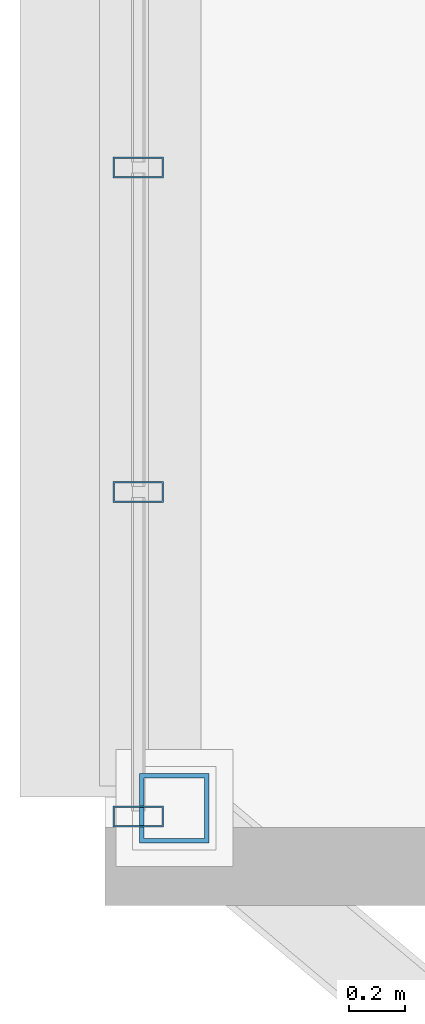
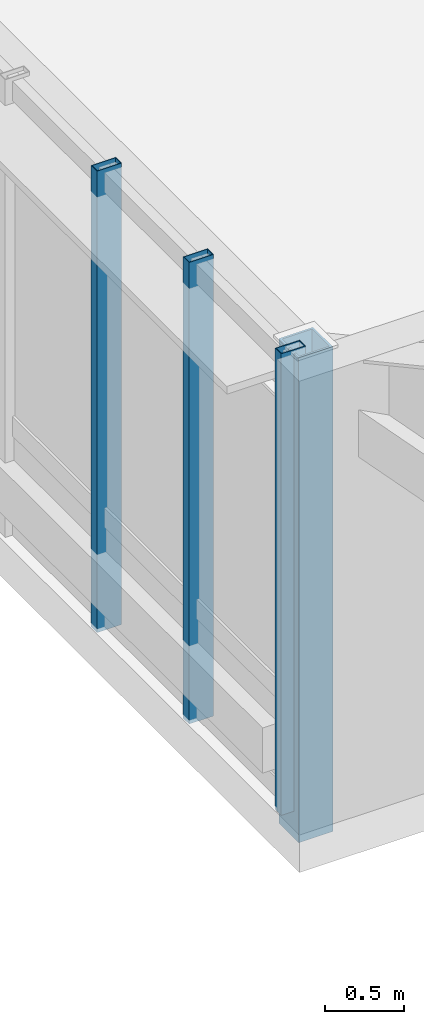
# One storey, part 2 of 18: 4 members, 1 element without a shape of its own.
"""IFC4 building model written with IfcOpenShell, lengths in metres."""

from ifc_helpers import new_model, si_unit, direction, frame, origin, origin_2d, place, context, subcontext, project, spatial, hollow_rectangle, extrude, material, material_profile, profile_set, type_object, element, aggregate, save


model = new_model("IFC4")

# Units and contexts
model_context = context("Model", 3, precision=1e-05, world=origin(), true_north=direction((0.0, 1.0)))
body_context = subcontext(model_context, "Body", "Model", "MODEL_VIEW")
ifc_project = project(units=[si_unit("LENGTHUNIT", "METRE"), si_unit("AREAUNIT", "SQUARE_METRE"), si_unit("VOLUMEUNIT", "CUBIC_METRE"), si_unit("PLANEANGLEUNIT", "RADIAN"), si_unit("MASSUNIT", "GRAM", prefix="KILO")], contexts=[model_context])

# Site, building, storey
site_placement = place(None, origin())
site = spatial("IfcSite", under=ifc_project, at=site_placement, CompositionType="ELEMENT")
building_placement = place(site_placement, origin())
building = spatial("IfcBuilding", under=site, at=building_placement, Name="Zulverin Broadcast Headquarters", CompositionType="ELEMENT")
storey_placement = place(building_placement, frame((0.0, 0.0, 225.0)))
storey = spatial("IfcBuildingStorey", under=building, at=storey_placement, Name="L57", CompositionType="ELEMENT", Elevation=225.0)

# Curtain wall, members
ifc_material_1 = material(Name="Acoustic triple-glazed studio box curtain wall", Category="aluminium")
curtain_wall_type = type_object("IfcCurtainWallType", Name="CW-SBOX", PredefinedType="USERDEFINED", material=ifc_material_1)
curtain_wall_placement = place(storey_placement, origin())
curtain_wall = element("IfcCurtainWall", 1, at=curtain_wall_placement, inside=storey, type_object=curtain_wall_type, Name="L57 Unitised Curtain Wall CW-L57-SBOX_SKY2_W-F", ObjectType="UNITISED CURTAIN WALL", PredefinedType="USERDEFINED")
ifc_material_2 = material(Name="Anodized pale-metal aluminium alloy 6063-T6", Category="aluminium")
ifc_material_profile_1 = material_profile(ifc_material_2, hollow_rectangle(XDim=0.074951171875, YDim=0.179931640625, WallThickness=0.0048828125, at=origin_2d()), Name="Anodized pale-metal aluminium alloy 6063-T6", Category="aluminium")
ifc_profile_set_1 = profile_set([ifc_material_profile_1], Name="Anodized pale-metal aluminium alloy 6063-T6")
member_type_1 = type_object("IfcMemberType", Name="CW-MUL-180", PredefinedType="MULLION", material=ifc_profile_set_1)
member_1_placement = place(storey_placement, frame((8.02001953125, 22.261474609375, -0.030029296875), z_axis=(0.0, 0.0, 1.0), x_axis=(0.0, -1.0, 0.0)))
member_1 = element("IfcMember", 2, at=member_1_placement, type_object=member_type_1, Name="CW-L57-SBOX_SKY2_W-F Mullion 05", PredefinedType="MULLION", context=body_context, shape_type="SweptSolid", body=[
    extrude(hollow_rectangle(XDim=0.074951171875, YDim=0.179931640625, WallThickness=0.0048828125, at=origin_2d()), origin(), (0.0, 0.0, 1.0), 3.570068359375),
])
member_2_placement = place(storey_placement, frame((8.02001953125, 21.095703125, -0.030029296875), z_axis=(0.0, 0.0, 1.0), x_axis=(0.0, -1.0, 0.0)))
member_2 = element("IfcMember", 3, at=member_2_placement, type_object=member_type_1, Name="CW-L57-SBOX_SKY2_W-F Mullion 06", PredefinedType="MULLION", context=body_context, shape_type="SweptSolid", body=[
    extrude(hollow_rectangle(XDim=0.074951171875, YDim=0.179931640625, WallThickness=0.0048828125, at=origin_2d()), origin(), (0.0, 0.0, 1.0), 3.570068359375),
])
member_3_placement = place(storey_placement, frame((8.02001953125, 19.929931640625, -0.030029296875), z_axis=(0.0, 0.0, 1.0), x_axis=(0.0, -1.0, 0.0)))
member_3 = element("IfcMember", 4, at=member_3_placement, type_object=member_type_1, Name="CW-L57-SBOX_SKY2_W-F Mullion 07", PredefinedType="MULLION", context=body_context, shape_type="SweptSolid", body=[
    extrude(hollow_rectangle(XDim=0.074951171875, YDim=0.179931640625, WallThickness=0.0048828125, at=origin_2d()), origin(), (0.0, 0.0, 1.0), 3.570068359375),
])
aggregate(curtain_wall, [member_1, member_2, member_3])

# Member
ifc_material_3 = material(Name="Structural steel S355JR", Category="steel")
ifc_material_profile_2 = material_profile(ifc_material_3, hollow_rectangle(XDim=0.25, YDim=0.25, WallThickness=0.01611328125, at=origin_2d()), Name="Structural steel S355JR", Category="steel")
ifc_profile_set_2 = profile_set([ifc_material_profile_2], Name="Structural steel S355JR")
member_type_2 = type_object("IfcMemberType", Name="MBR-BLT-POST", PredefinedType="POST", material=ifc_profile_set_2)
member_4_placement = place(storey_placement, frame((8.14990234375, 19.9599609375, -0.239990234375), z_axis=(0.0, 0.0, 1.0), x_axis=(1.0, 0.0, 0.0)))
element("IfcMember", 5, at=member_4_placement, inside=storey, type_object=member_type_2, Name="L57 Shifted Studio Box Frame Post SBOX_SKY2_W-1", PredefinedType="POST", context=body_context, shape_type="SweptSolid", body=[
    extrude(hollow_rectangle(XDim=0.25, YDim=0.25, WallThickness=0.01611328125, at=origin_2d()), origin(), (0.0, 0.0, 1.0), 3.75),
])

save(model, "model.ifc")
